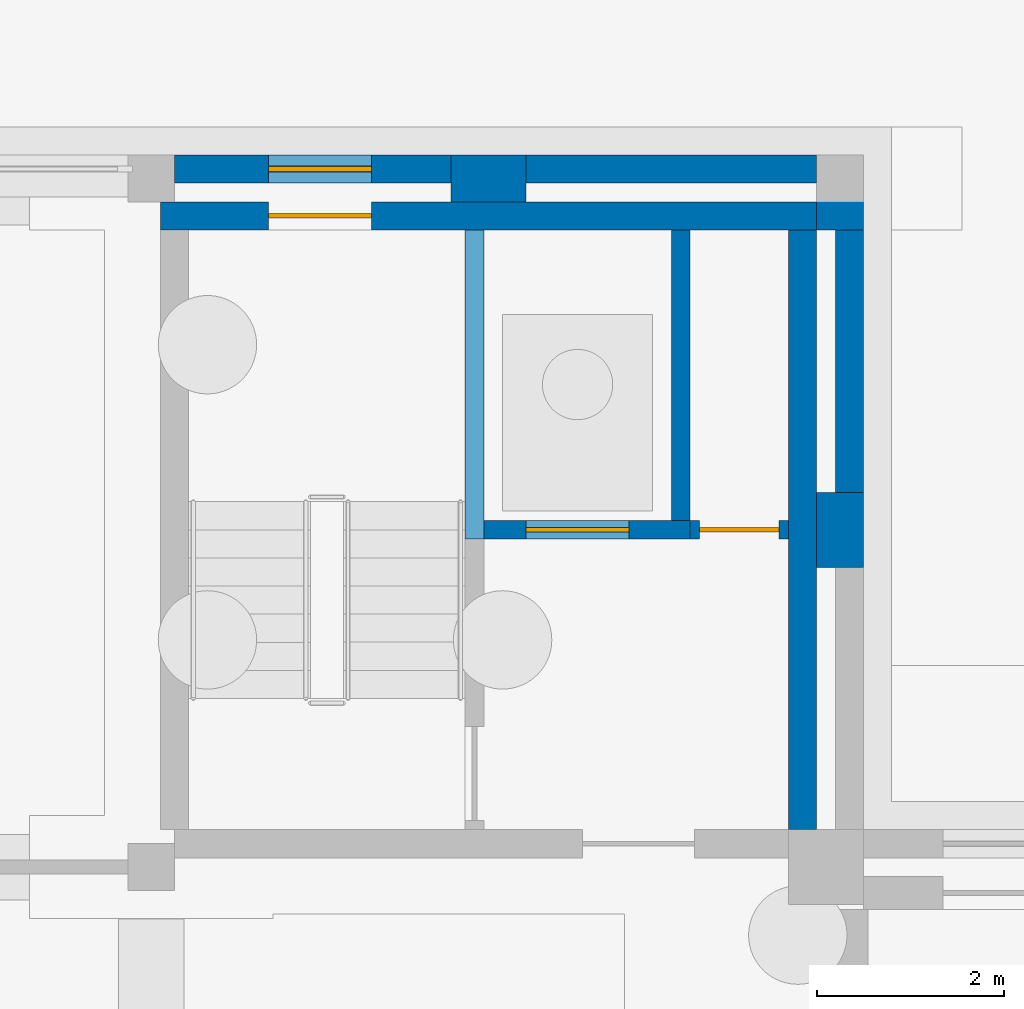
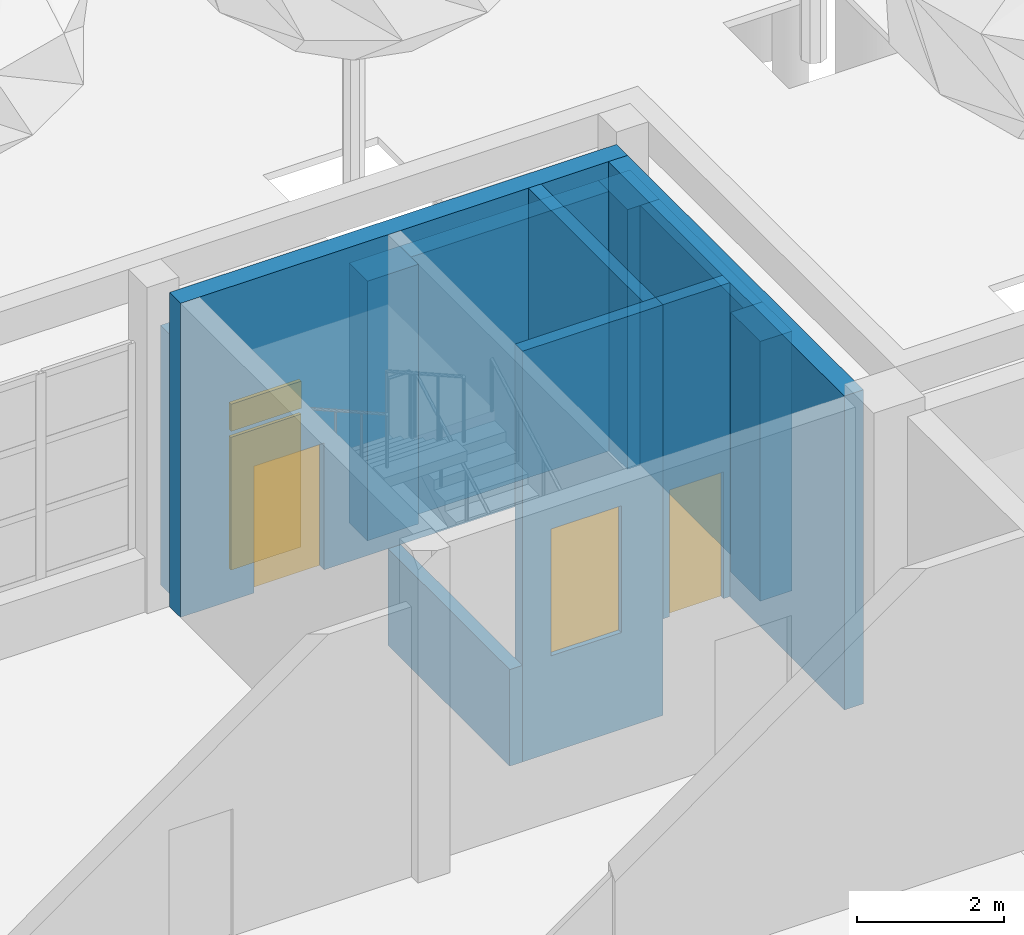
# One storey, part 47 of 80: 12 walls, 4 doors, 1 window, 5 openings.
"""IFC4 building model written with IfcOpenShell, lengths in metres."""

import ifcopenshell
import ifcopenshell.guid

model = None  # the IFC model being written
_history = None  # IfcOwnerHistory: only IFC2X3 demands one
_inside = {}  # id of a spatial element -> (the spatial element, [elements in it])
_under = {}  # id of a project, library or spatial element -> (it, [spatial elements below it])
_declared = {}  # id of a project -> (the project, [libraries it declares])
_typed = {}  # id of a type object -> (the type object, [elements of that type])
_made_of = {}  # id of a material, layer set ... -> (it, [elements and type objects made of it])


def new_model(schema):
    """Start an empty IFC model of exactly this schema.

    Asked for "IFC4X3", IfcOpenShell would pick the latest addendum, in which some entities
    have other attributes; the version numbers below select the first issue.
    IFC2X3 requires an IfcOwnerHistory on every rooted entity: one is made here for all.
    """
    global model, _history
    if schema == "IFC4X3":
        model = ifcopenshell.file(schema_version=(4, 3, 0, 0))
    else:
        model = ifcopenshell.file(schema=schema)
    _inside.clear()
    _under.clear()
    _declared.clear()
    _typed.clear()
    _made_of.clear()
    _history = None
    if model.schema == "IFC2X3":
        org = make("IfcOrganization", Name="unknown")
        user = make(
            "IfcPersonAndOrganization",
            ThePerson=make("IfcPerson", FamilyName="unknown"),
            TheOrganization=org,
        )
        app = make(
            "IfcApplication",
            ApplicationDeveloper=org,
            Version="unknown",
            ApplicationFullName="unknown",
            ApplicationIdentifier="unknown",
        )
        _history = make(
            "IfcOwnerHistory",
            OwningUser=user,
            OwningApplication=app,
            ChangeAction="ADDED",
            CreationDate=0,
        )
    return model


def make(cls, **values):
    """One entity of the class cls with the attributes given. An attribute that is None is left unset."""
    return model.create_entity(
        cls, **{name: value for name, value in values.items() if value is not None}
    )


def rooted(cls, **values):
    """An entity with a GlobalId (a new one), such as an element, a storey or a relation."""
    return make(cls, GlobalId=ifcopenshell.guid.new(), OwnerHistory=_history, **values)


def si_unit(unit_type, name, prefix=None):
    """IfcSIUnit, for example si_unit("LENGTHUNIT", "METRE", prefix="MILLI")."""
    return make("IfcSIUnit", UnitType=unit_type, Prefix=prefix, Name=name)


def assignment(units):
    """IfcUnitAssignment: the units of a project."""
    return None if units is None else make("IfcUnitAssignment", Units=units)


def point(xyz):
    """IfcCartesianPoint."""
    return None if xyz is None else make("IfcCartesianPoint", Coordinates=xyz)


def direction(xyz):
    """IfcDirection."""
    return None if xyz is None else make("IfcDirection", DirectionRatios=xyz)


def frame(location, z_axis=None, x_axis=None):
    """IfcAxis2Placement3D, a coordinate frame: its origin and axes. An axis left out is left unset."""
    return make(
        "IfcAxis2Placement3D",
        Location=point(location),
        Axis=direction(z_axis),
        RefDirection=direction(x_axis),
    )


def frame_2d(location, x_axis=None):
    """IfcAxis2Placement2D, a coordinate frame in the plane: its origin and x axis."""
    return make(
        "IfcAxis2Placement2D", Location=point(location), RefDirection=direction(x_axis)
    )


def origin():
    """The frame at (0, 0, 0) with its axes left unset."""
    return frame((0.0, 0.0, 0.0))


def place(relative_to, where):
    """IfcLocalPlacement: puts the frame where relative to a parent placement (None: the world)."""
    return make(
        "IfcLocalPlacement", PlacementRelTo=relative_to, RelativePlacement=where
    )


def context(
    kind, dimensions, precision=None, world=None, true_north=None, identifier=None
):
    """IfcGeometricRepresentationContext, for example the 3D "Model" context."""
    return make(
        "IfcGeometricRepresentationContext",
        ContextIdentifier=identifier,
        ContextType=kind,
        CoordinateSpaceDimension=dimensions,
        Precision=precision,
        WorldCoordinateSystem=world,
        TrueNorth=true_north,
    )


def subcontext(parent, identifier, kind, view, scale=None):
    """IfcGeometricRepresentationSubContext, for example "Body" below "Model"."""
    return make(
        "IfcGeometricRepresentationSubContext",
        ContextIdentifier=identifier,
        ContextType=kind,
        ParentContext=parent,
        TargetScale=scale,
        TargetView=view,
    )


def project(units=None, contexts=None):
    """IfcProject with its units and contexts."""
    return rooted(
        "IfcProject",
        Name="project",
        RepresentationContexts=contexts,
        UnitsInContext=assignment(units),
    )


def spatial(cls, under=None, at=None, **own):
    """A site, building, storey or space (cls), placed at a placement, below another one or the project."""
    s = rooted(cls, ObjectPlacement=at, **own)
    if under is not None:
        _under.setdefault(under.id(), (under, []))[1].append(s)
    return s


def profile(cls, at=None, kind="AREA", **sizes):
    """A parametric profile (cls). Its sizes go by their IFC names, for example OverallWidth=200.0."""
    return make(cls, ProfileType=kind, Position=at, **sizes)


def rectangle(**sizes):
    """IfcRectangleProfileDef."""
    return profile("IfcRectangleProfileDef", **sizes)


def extrude(swept, where, along, depth):
    """IfcExtrudedAreaSolid: the profile swept, set in the frame where, extruded along a direction by depth."""
    return make(
        "IfcExtrudedAreaSolid",
        SweptArea=swept,
        Position=where,
        ExtrudedDirection=direction(along),
        Depth=depth,
    )


def shape(context_of_items, identifier, shape_type, items):
    """IfcShapeRepresentation: the items that make up one representation, for example the "Body"."""
    return make(
        "IfcShapeRepresentation",
        ContextOfItems=context_of_items,
        RepresentationIdentifier=identifier,
        RepresentationType=shape_type,
        Items=items,
    )


def material(Name=None, Category=None):
    """IfcMaterial."""
    return make("IfcMaterial", Name=Name, Category=Category)


def layer(
    of_material, thickness, ventilated=None, Name=None, Category=None, Priority=None
):
    """IfcMaterialLayer: one layer of a wall or slab, of a material (None: an air gap)."""
    return make(
        "IfcMaterialLayer",
        Material=of_material,
        LayerThickness=thickness,
        IsVentilated=ventilated,
        Name=Name,
        Category=Category,
        Priority=Priority,
    )


def layer_set(layers, Name=None):
    """IfcMaterialLayerSet."""
    return make("IfcMaterialLayerSet", MaterialLayers=layers, LayerSetName=Name)


def made_of(thing, what):
    """Note that an element or type object is made of a material, layer set ...; save() writes the relation."""
    if what is not None:
        _made_of.setdefault(what.id(), (what, []))[1].append(thing)
    return thing


def type_object(cls, material=None, **own):
    """A type object (cls), such as IfcWallType, which elements share."""
    return made_of(rooted(cls, **own), material)


def element(
    cls,
    number,
    at=None,
    inside=None,
    cuts=None,
    type_object=None,
    material=None,
    context=None,
    identifier="Body",
    shape_type=None,
    held_by="IfcProductDefinitionShape",
    body=None,
    shapes=None,
    **own,
):
    """One element of the class cls, such as IfcWall. Its Tag is "e" and its number.

    at: its placement. inside: the storey or other place that contains it. cuts: it is an
    opening in that element (IfcRelVoidsElement). A single representation is given by context,
    identifier, shape_type and body (its items); several are given by shapes. held_by: the class
    of the entity that holds the representations. save() writes the other relations.
    """
    e = rooted(cls, Tag="e%d" % number, ObjectPlacement=at, **own)
    if body is not None:
        shapes = [shape(context, identifier, shape_type, body)]
    if shapes is not None:
        e.Representation = make(held_by, Representations=shapes)
    if inside is not None:
        _inside.setdefault(inside.id(), (inside, []))[1].append(e)
    if cuts is not None:
        rooted(
            "IfcRelVoidsElement", RelatingBuildingElement=cuts, RelatedOpeningElement=e
        )
    if type_object is not None:
        _typed.setdefault(type_object.id(), (type_object, []))[1].append(e)
    return made_of(e, material)


def fill(opening, filler):
    """IfcRelFillsElement: the door or window that sits in an opening."""
    return rooted(
        "IfcRelFillsElement",
        RelatingOpeningElement=opening,
        RelatedBuildingElement=filler,
    )


def aggregate(whole, parts):
    """IfcRelAggregates: a whole, such as a stair, and the parts it consists of."""
    return rooted("IfcRelAggregates", RelatingObject=whole, RelatedObjects=parts)


def save(model, path):
    """Write the relations noted so far, then the file.

    IfcRelAggregates (storeys below a building ...), IfcRelContainedInSpatialStructure (elements
    in a storey), IfcRelDefinesByType, IfcRelAssociatesMaterial and IfcRelDeclares: one each for
    every whole, place, type object, material and project.
    """
    for whole, parts in _under.values():
        aggregate(whole, parts)
    for where, things in _inside.values():
        rooted(
            "IfcRelContainedInSpatialStructure",
            RelatedElements=things,
            RelatingStructure=where,
        )
    for kind, things in _typed.values():
        rooted("IfcRelDefinesByType", RelatedObjects=things, RelatingType=kind)
    for what, things in _made_of.values():
        rooted("IfcRelAssociatesMaterial", RelatedObjects=things, RelatingMaterial=what)
    for by, libraries in _declared.values():
        rooted("IfcRelDeclares", RelatingContext=by, RelatedDefinitions=libraries)
    model.write(path)


model = new_model("IFC4")

# Units and contexts
model_context = context("Model", 3, precision=1e-05, world=origin(), true_north=direction((0.0, 1.0)))
body_context = subcontext(model_context, "Body", "Model", "MODEL_VIEW")
ifc_project = project(units=[si_unit("LENGTHUNIT", "METRE"), si_unit("AREAUNIT", "SQUARE_METRE"), si_unit("VOLUMEUNIT", "CUBIC_METRE"), si_unit("PLANEANGLEUNIT", "RADIAN"), si_unit("MASSUNIT", "GRAM", prefix="KILO")], contexts=[model_context])

# Site, building, storey
site_placement = place(None, origin())
site = spatial("IfcSite", under=ifc_project, at=site_placement, CompositionType="ELEMENT")
building_placement = place(site_placement, origin())
building = spatial("IfcBuilding", under=site, at=building_placement, Name="Ussher Court Research Institute", CompositionType="ELEMENT")
storey_placement = place(building_placement, origin())
storey = spatial("IfcBuildingStorey", under=building, at=storey_placement, Name="L00", CompositionType="ELEMENT", Elevation=0.0)

# Wall, openings, door, window
ifc_material_1 = material(Name="Limestone facing on blockwork", Category="masonry")
ifc_layer_1 = layer(ifc_material_1, 0.300048828125)
ifc_layer_set_1 = layer_set([ifc_layer_1], Name="Limestone facing on blockwork")
wall_type_1 = type_object("IfcWallType", Name="External wall 300 stair enclosure", PredefinedType="SOLIDWALL", material=ifc_layer_set_1)
wall_1_placement = place(storey_placement, frame((75.25, 40.25, 0.0), z_axis=(0.0, 0.0, 1.0), x_axis=(1.0, 0.0, 0.0)))
wall_1 = element("IfcWall", 1, at=wall_1_placement, inside=storey, type_object=wall_type_1, Name="External wall EW5 L00", PredefinedType="SOLIDWALL", context=body_context, shape_type="SweptSolid", body=[
    extrude(rectangle(XDim=2.949951171875, YDim=0.300048828125, at=frame_2d((1.47509765625, 0.0))), origin(), (0.0, 0.0, 1.0), 4.300048828125),
])
opening_1_placement = place(wall_1_placement, frame((1.0, 0.0, 0.0)))
opening_1 = element("IfcOpeningElement", 2, at=opening_1_placement, cuts=wall_1, Name="Opening DX27", PredefinedType="OPENING", context=body_context, shape_type="SweptSolid", body=[
    extrude(rectangle(XDim=1.10009765625, YDim=2.199951171875, at=frame_2d((0.550048828125, 1.10009765625))), frame((0.0, 0.16015625, 0.0), z_axis=(0.0, -1.0, 0.0), x_axis=(1.0, 0.0, 0.0)), (0.0, 0.0, 1.0), 0.320068359375),
])
opening_2_placement = place(wall_1_placement, frame((1.0, 0.0, 2.300048828125)))
opening_2 = element("IfcOpeningElement", 3, at=opening_2_placement, cuts=wall_1, Name="Opening W18", PredefinedType="OPENING", context=body_context, shape_type="SweptSolid", body=[
    extrude(rectangle(XDim=1.10009765625, YDim=0.449951171875, at=frame_2d((0.550048828125, 0.22509765625))), frame((0.0, 0.16015625, 0.0), z_axis=(0.0, -1.0, 0.0), x_axis=(1.0, 0.0, 0.0)), (0.0, 0.0, 1.0), 0.320068359375),
])
ifc_material_2 = material(Name="Painted steel", Category="steel")
door_type_1 = type_object("IfcDoorType", Name="Stair discharge door 1100x2200", OperationType="SINGLE_SWING_LEFT", PredefinedType="DOOR", material=ifc_material_2)
door_1_placement = place(opening_1_placement, origin())
door_1 = element("IfcDoor", 4, at=door_1_placement, inside=storey, type_object=door_type_1, Name="Door DX27", OperationType="SINGLE_SWING_LEFT", OverallHeight=2.199951171875, OverallWidth=1.10009765625, PredefinedType="DOOR", context=body_context, shape_type="SweptSolid", body=[
    extrude(rectangle(XDim=1.10009765625, YDim=2.199951171875, at=frame_2d((0.550048828125, 1.10009765625))), frame((0.0, 0.02490234375, 0.0), z_axis=(0.0, -1.0, 0.0), x_axis=(1.0, 0.0, 0.0)), (0.0, 0.0, 1.0), 0.050048828125),
])
fill(opening_1, door_1)
ifc_material_3 = material(Name="Bronze anodised aluminium with double glazing", Category="aluminium")
window_type = type_object("IfcWindowType", Name="Stair discharge transom light 1100x450", PartitioningType="SINGLE_PANEL", PredefinedType="WINDOW", material=ifc_material_3)
window_placement = place(opening_2_placement, origin())
window = element("IfcWindow", 5, at=window_placement, inside=storey, type_object=window_type, Name="Window W18 L00", OverallHeight=0.449951171875, OverallWidth=1.10009765625, PartitioningType="SINGLE_PANEL", PredefinedType="WINDOW", context=body_context, shape_type="SweptSolid", body=[
    extrude(rectangle(XDim=1.10009765625, YDim=0.449951171875, at=frame_2d((0.550048828125, 0.22509765625))), frame((0.0, 0.030029296875, 0.0), z_axis=(0.0, -1.0, 0.0), x_axis=(1.0, 0.0, 0.0)), (0.0, 0.0, 1.0), 0.06005859375),
])
fill(opening_2, window)

# Walls
wall_2_placement = place(storey_placement, frame((79.0, 40.25, 0.0), z_axis=(0.0, 0.0, 1.0), x_axis=(1.0, 0.0, 0.0)))
element("IfcWall", 6, at=wall_2_placement, inside=storey, type_object=wall_type_1, Name="External wall EW5 L00", PredefinedType="SOLIDWALL", context=body_context, shape_type="SweptSolid", body=[
    extrude(rectangle(XDim=3.10009765625, YDim=0.300048828125, at=frame_2d((1.550048828125, 0.0))), origin(), (0.0, 0.0, 1.0), 4.300048828125),
])
wall_3_placement = place(storey_placement, frame((82.449951171875, 39.60009765625, 0.0), z_axis=(0.0, 0.0, 1.0), x_axis=(0.0, -1.0, 0.0)))
element("IfcWall", 7, at=wall_3_placement, inside=storey, type_object=wall_type_1, Name="External wall EW5 L00", PredefinedType="SOLIDWALL", context=body_context, shape_type="SweptSolid", body=[
    extrude(rectangle(XDim=2.800048828125, YDim=0.300048828125, at=frame_2d((1.39990234375, 0.0))), origin(), (0.0, 0.0, 1.0), 4.300048828125),
])
ifc_material_4 = material(Name="Rusticated limestone facing on blockwork", Category="masonry")
ifc_layer_2 = layer(ifc_material_4, 0.5)
ifc_layer_set_2 = layer_set([ifc_layer_2], Name="Rusticated limestone facing on blockwork")
wall_type_2 = type_object("IfcWallType", Name="Pier 800x500 rusticated limestone", PredefinedType="SOLIDWALL", material=ifc_layer_set_2)
wall_4_placement = place(storey_placement, frame((78.199951171875, 40.14990234375, 0.0), z_axis=(0.0, 0.0, 1.0), x_axis=(1.0, 0.0, 0.0)))
element("IfcWall", 8, at=wall_4_placement, inside=storey, type_object=wall_type_2, Name="Pier PR2 L00", PredefinedType="SOLIDWALL", context=body_context, shape_type="SweptSolid", body=[
    extrude(rectangle(XDim=0.800048828125, YDim=0.5, at=frame_2d((0.39990234375, 0.0))), origin(), (0.0, 0.0, 1.0), 4.300048828125),
])
wall_5_placement = place(storey_placement, frame((82.35009765625, 40.39990234375, 0.0), z_axis=(0.0, 0.0, 1.0), x_axis=(0.0, -1.0, 0.0)))
element("IfcWall", 9, at=wall_5_placement, inside=storey, type_object=wall_type_2, Name="Pier PR2 L00", PredefinedType="SOLIDWALL", context=body_context, shape_type="SweptSolid", body=[
    extrude(rectangle(XDim=0.7998046875, YDim=0.5, at=frame_2d((0.39990234375, 0.0))), origin(), (0.0, 0.0, 1.0), 4.300048828125),
])
wall_6_placement = place(storey_placement, frame((82.35009765625, 36.800048828125, 0.0), z_axis=(0.0, 0.0, 1.0), x_axis=(0.0, -1.0, 0.0)))
element("IfcWall", 10, at=wall_6_placement, inside=storey, type_object=wall_type_2, Name="Pier PR2 L00", PredefinedType="SOLIDWALL", context=body_context, shape_type="SweptSolid", body=[
    extrude(rectangle(XDim=0.800048828125, YDim=0.5, at=frame_2d((0.39990234375, 0.0))), origin(), (0.0, 0.0, 1.0), 4.300048828125),
])
ifc_material_5 = material(Name="Concrete C35/45", Category="concrete")
ifc_layer_3 = layer(ifc_material_5, 0.199951171875)
ifc_layer_set_3 = layer_set([ifc_layer_3], Name="Concrete C35/45")
wall_type_3 = type_object("IfcWallType", Name="RC core wall 200", PredefinedType="SHEAR", material=ifc_layer_set_3)
wall_7_placement = place(storey_placement, frame((78.449951171875, 36.300048828125, -1.60009765625), z_axis=(0.0, 0.0, 1.0), x_axis=(0.0, 1.0, 0.0)))
element("IfcWall", 11, at=wall_7_placement, inside=storey, type_object=wall_type_3, Name="Pit wall E1", PredefinedType="SHEAR", context=body_context, shape_type="SweptSolid", body=[
    extrude(rectangle(XDim=3.300048828125, YDim=0.199951171875, at=frame_2d((1.64990234375, 0.0))), origin(), (0.0, 0.0, 1.0), 1.60009765625),
])

# Wall, opening, door
wall_8_placement = place(storey_placement, frame((80.75, 36.39990234375, -1.60009765625), z_axis=(0.0, 0.0, 1.0), x_axis=(-1.0, 0.0, 0.0)))
wall_8 = element("IfcWall", 12, at=wall_8_placement, inside=storey, type_object=wall_type_3, Name="Core wall E1", PredefinedType="SHEAR", context=body_context, shape_type="SweptSolid", body=[
    extrude(rectangle(XDim=2.199951171875, YDim=0.199951171875, at=frame_2d((1.10009765625, 0.0))), origin(), (0.0, 0.0, 1.0), 6.800048828125),
])
opening_3_placement = place(wall_8_placement, frame((0.64990234375, 0.0, 1.60009765625)))
opening_3 = element("IfcOpeningElement", 13, at=opening_3_placement, cuts=wall_8, Name="Opening LD09", PredefinedType="OPENING", context=body_context, shape_type="SweptSolid", body=[
    extrude(rectangle(XDim=1.10009765625, YDim=2.10009765625, at=frame_2d((0.550048828125, 1.050048828125))), frame((0.0, 0.10986328125, 0.0), z_axis=(0.0, -1.0, 0.0), x_axis=(1.0, 0.0, 0.0)), (0.0, 0.0, 1.0), 0.219970703125),
])
ifc_material_6 = material(Name="Stainless steel lift door", Category="steel")
door_type_2 = type_object("IfcDoorType", Name="Lift landing door 1100x2100 sliding", OperationType="DOUBLE_DOOR_SLIDING", PredefinedType="DOOR", material=ifc_material_6)
door_2_placement = place(opening_3_placement, origin())
door_2 = element("IfcDoor", 14, at=door_2_placement, inside=storey, type_object=door_type_2, Name="Landing door E1-1 L00", OperationType="DOUBLE_DOOR_SLIDING", OverallHeight=2.10009765625, OverallWidth=1.10009765625, PredefinedType="DOOR", context=body_context, shape_type="SweptSolid", body=[
    extrude(rectangle(XDim=1.10009765625, YDim=2.10009765625, at=frame_2d((0.550048828125, 1.050048828125))), frame((0.0, 0.02490234375, 0.0), z_axis=(0.0, -1.0, 0.0), x_axis=(1.0, 0.0, 0.0)), (0.0, 0.0, 1.0), 0.050048828125),
])
fill(opening_3, door_2)

wall_9_placement = place(storey_placement, frame((81.800048828125, 36.39990234375, 0.0), z_axis=(0.0, 0.0, 1.0), x_axis=(-1.0, 0.0, 0.0)))
wall_9 = element("IfcWall", 15, at=wall_9_placement, inside=storey, type_object=wall_type_3, Name="Core wall E1", PredefinedType="SHEAR", context=body_context, shape_type="SweptSolid", body=[
    extrude(rectangle(XDim=1.050048828125, YDim=0.199951171875, at=frame_2d((0.52490234375, 0.0))), origin(), (0.0, 0.0, 1.0), 5.199951171875),
])
opening_4_placement = place(wall_9_placement, frame((0.10009765625, 0.0, 0.0)))
opening_4 = element("IfcOpeningElement", 16, at=opening_4_placement, cuts=wall_9, Name="Opening D00069", PredefinedType="OPENING", context=body_context, shape_type="SweptSolid", body=[
    extrude(rectangle(XDim=0.85009765625, YDim=2.10009765625, at=frame_2d((0.425048828125, 1.050048828125))), frame((0.0, 0.10986328125, 0.0), z_axis=(0.0, -1.0, 0.0), x_axis=(1.0, 0.0, 0.0)), (0.0, 0.0, 1.0), 0.219970703125),
])
ifc_material_7 = material(Name="Painted steel faced fire door", Category="steel")
door_type_3 = type_object("IfcDoorType", Name="Fire door 850x2100 FD60", OperationType="NOTDEFINED", PredefinedType="DOOR", material=ifc_material_7)
door_3_placement = place(opening_4_placement, origin())
door_3 = element("IfcDoor", 17, at=door_3_placement, inside=storey, type_object=door_type_3, Name="Door D00069", OperationType="SINGLE_SWING_LEFT", OverallHeight=2.10009765625, OverallWidth=0.85009765625, PredefinedType="DOOR", context=body_context, shape_type="SweptSolid", body=[
    extrude(rectangle(XDim=0.85009765625, YDim=2.10009765625, at=frame_2d((0.425048828125, 1.050048828125))), frame((0.0, 0.02490234375, 0.0), z_axis=(0.0, -1.0, 0.0), x_axis=(1.0, 0.0, 0.0)), (0.0, 0.0, 1.0), 0.050048828125),
])
fill(opening_4, door_3)

# Wall
wall_10_placement = place(storey_placement, frame((80.64990234375, 36.5, -1.60009765625), z_axis=(0.0, 0.0, 1.0), x_axis=(0.0, 1.0, 0.0)))
element("IfcWall", 18, at=wall_10_placement, inside=storey, type_object=wall_type_3, Name="Core wall E1", PredefinedType="SHEAR", context=body_context, shape_type="SweptSolid", body=[
    extrude(rectangle(XDim=3.10009765625, YDim=0.199951171875, at=frame_2d((1.550048828125, 0.0))), origin(), (0.0, 0.0, 1.0), 6.800048828125),
])

# Wall, opening, door
ifc_material_8 = material(Name="Concrete C35/45", Category="concrete")
ifc_layer_4 = layer(ifc_material_8, 0.300048828125)
ifc_layer_set_4 = layer_set([ifc_layer_4], Name="Concrete C35/45")
wall_type_4 = type_object("IfcWallType", Name="RC core wall 300", PredefinedType="SHEAR", material=ifc_layer_set_4)
wall_11_placement = place(storey_placement, frame((75.10009765625, 39.75, 0.0), z_axis=(0.0, 0.0, 1.0), x_axis=(1.0, 0.0, 0.0)))
wall_11 = element("IfcWall", 19, at=wall_11_placement, inside=storey, type_object=wall_type_4, Name="Core wall E1", PredefinedType="SHEAR", context=body_context, shape_type="SweptSolid", body=[
    extrude(rectangle(XDim=7.0, YDim=0.300048828125, at=frame_2d((3.5, 0.0))), origin(), (0.0, 0.0, 1.0), 5.199951171875),
])
opening_5_placement = place(wall_11_placement, frame((1.14990234375, 0.0, 0.0)))
opening_5 = element("IfcOpeningElement", 20, at=opening_5_placement, cuts=wall_11, Name="Opening D00060", PredefinedType="OPENING", context=body_context, shape_type="SweptSolid", body=[
    extrude(rectangle(XDim=1.10009765625, YDim=2.10009765625, at=frame_2d((0.550048828125, 1.050048828125))), frame((0.0, 0.16015625, 0.0), z_axis=(0.0, -1.0, 0.0), x_axis=(1.0, 0.0, 0.0)), (0.0, 0.0, 1.0), 0.320068359375),
])
ifc_material_9 = material(Name="Painted steel faced fire door", Category="steel")
door_type_4 = type_object("IfcDoorType", Name="Fire door 1100x2100 FD60", OperationType="NOTDEFINED", PredefinedType="DOOR", material=ifc_material_9)
door_4_placement = place(opening_5_placement, origin())
door_4 = element("IfcDoor", 21, at=door_4_placement, inside=storey, type_object=door_type_4, Name="Door D00060", OperationType="SINGLE_SWING_LEFT", OverallHeight=2.10009765625, OverallWidth=1.10009765625, PredefinedType="DOOR", context=body_context, shape_type="SweptSolid", body=[
    extrude(rectangle(XDim=1.10009765625, YDim=2.10009765625, at=frame_2d((0.550048828125, 1.050048828125))), frame((0.0, 0.02490234375, 0.0), z_axis=(0.0, -1.0, 0.0), x_axis=(1.0, 0.0, 0.0)), (0.0, 0.0, 1.0), 0.050048828125),
])
fill(opening_5, door_4)

# Wall
wall_12_placement = place(storey_placement, frame((81.949951171875, 33.199951171875, 0.0), z_axis=(0.0, 0.0, 1.0), x_axis=(0.0, 1.0, 0.0)))
element("IfcWall", 22, at=wall_12_placement, inside=storey, type_object=wall_type_4, Name="Core wall E1", PredefinedType="SHEAR", context=body_context, shape_type="SweptSolid", body=[
    extrude(rectangle(XDim=6.400146484375, YDim=0.300048828125, at=frame_2d((3.2001953125, 0.0))), origin(), (0.0, 0.0, 1.0), 5.199951171875),
])

save(model, "model.ifc")
